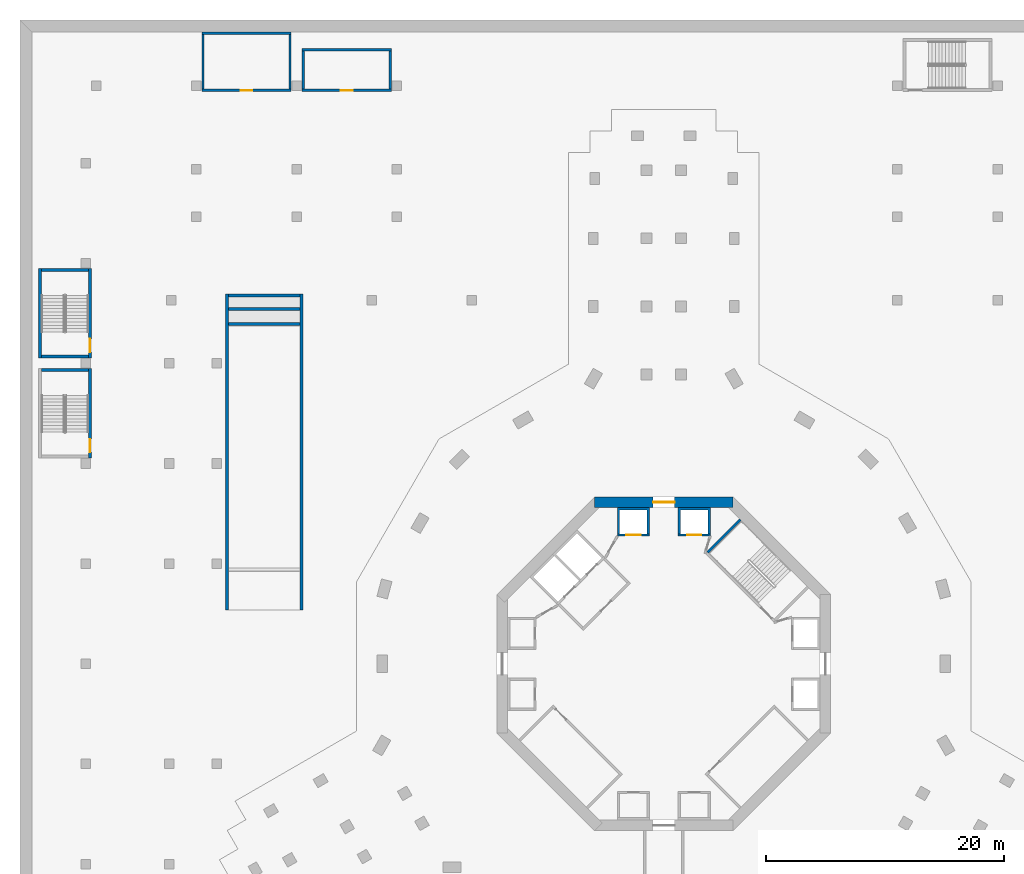
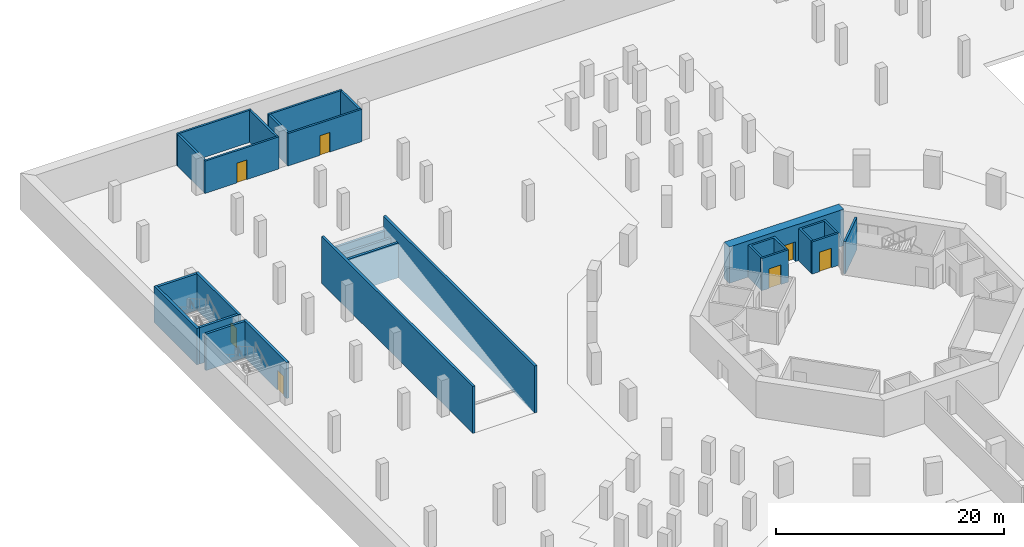
# One storey, part 10 of 25: 25 walls, 7 doors, 7 openings.
"""IFC4 building model written with IfcOpenShell, lengths in metres."""

from ifc_helpers import new_model, si_unit, direction, frame, frame_2d, origin, place, context, subcontext, project, spatial, polyline, rectangle, outline, extrude, material, layer, layer_set, type_object, element, fill, save


model = new_model("IFC4")

# Units and contexts
model_context = context("Model", 3, precision=1e-05, world=origin(), true_north=direction((0.0, 1.0)))
body_context = subcontext(model_context, "Body", "Model", "MODEL_VIEW")
ifc_project = project(units=[si_unit("LENGTHUNIT", "METRE"), si_unit("AREAUNIT", "SQUARE_METRE"), si_unit("VOLUMEUNIT", "CUBIC_METRE"), si_unit("PLANEANGLEUNIT", "RADIAN"), si_unit("MASSUNIT", "GRAM", prefix="KILO")], contexts=[model_context])

# Site, building, storey
site_placement = place(None, origin())
site = spatial("IfcSite", under=ifc_project, at=site_placement, CompositionType="ELEMENT")
building_placement = place(site_placement, origin())
building = spatial("IfcBuilding", under=site, at=building_placement, Name="Verdalira Terraces Hotel", CompositionType="ELEMENT")
storey_placement = place(building_placement, frame((0.0, 0.0, -7.800049)))
storey = spatial("IfcBuildingStorey", under=building, at=storey_placement, Name="B2", CompositionType="ELEMENT", Elevation=-7.800048828125)

# Wall
ifc_material_1 = material(Name="Concrete C50", Category="concrete")
ifc_layer_1 = layer(ifc_material_1, 0.199951171875)
ifc_layer_set_1 = layer_set([ifc_layer_1], Name="Core RC wall 200 C50")
wall_type_1 = type_object("IfcWallType", Name="Core RC wall 200 C50", PredefinedType="SOLIDWALL", material=ifc_layer_set_1)
wall_1_placement = place(storey_placement, origin())
element("IfcWall", 1, at=wall_1_placement, inside=storey, type_object=wall_type_1, Name="B2 shaft wall N1", PredefinedType="SOLIDWALL", context=body_context, shape_type="SweptSolid", body=[
    extrude(outline(polyline([(3.899902, 13.100098), (3.899902, 10.899902), (3.699951, 10.899902), (3.699951, 12.899902), (1.399902, 12.899902), (1.399902, 10.899902), (1.199951, 10.899902), (1.199951, 13.100098), (3.899902, 13.100098)])), origin(), (0.0, 0.0, 1.0), 3.449951),
])

# Wall, opening, door
wall_2_placement = place(storey_placement, frame((1.199951, 10.800049, 0.0), z_axis=(0.0, 0.0, 1.0), x_axis=(1.0, 0.0, 0.0)))
wall_2 = element("IfcWall", 2, at=wall_2_placement, inside=storey, type_object=wall_type_1, Name="B2 shaft front wall N1", PredefinedType="SOLIDWALL", context=body_context, shape_type="SweptSolid", body=[
    extrude(rectangle(XDim=2.699951, YDim=0.199951, at=frame_2d((1.350098, 0.0))), origin(), (0.0, 0.0, 1.0), 3.449951),
])
opening_1_placement = place(wall_2_placement, frame((0.75, 0.0, 0.0)))
opening_1 = element("IfcOpeningElement", 3, at=opening_1_placement, cuts=wall_2, Name="Opening LD-B2-807", PredefinedType="OPENING", context=body_context, shape_type="SweptSolid", body=[
    extrude(rectangle(XDim=1.199951, YDim=2.100098, at=frame_2d((0.600098, 1.050049))), frame((0.0, 0.109863, 0.0), z_axis=(0.0, -1.0, 0.0), x_axis=(1.0, 0.0, 0.0)), (0.0, 0.0, 1.0), 0.219971),
])
ifc_material_2 = material(Name="Stainless steel", Category="steel")
door_type_1 = type_object("IfcDoorType", Name="Landing door 1200 x 2100", OperationType="NOTDEFINED", PredefinedType="DOOR", material=ifc_material_2)
door_1_placement = place(opening_1_placement, origin())
door_1 = element("IfcDoor", 4, at=door_1_placement, inside=storey, type_object=door_type_1, Name="Lift landing door LR3 B2", OperationType="DOUBLE_DOOR_SLIDING", OverallHeight=2.10009765625, OverallWidth=1.199951171875, PredefinedType="DOOR", context=body_context, shape_type="SweptSolid", body=[
    extrude(rectangle(XDim=1.199951, YDim=2.100098, at=frame_2d((0.600098, 1.050049))), frame((0.0, 0.024902, 0.0), z_axis=(0.0, -1.0, 0.0), x_axis=(1.0, 0.0, 0.0)), (0.0, 0.0, 1.0), 0.050049),
])
fill(opening_1, door_1)

# Wall
wall_3_placement = place(storey_placement, origin())
element("IfcWall", 5, at=wall_3_placement, inside=storey, type_object=wall_type_1, Name="B2 shaft wall N2", PredefinedType="SOLIDWALL", context=body_context, shape_type="SweptSolid", body=[
    extrude(outline(polyline([(-3.899902, 10.899902), (-3.899902, 13.100098), (-1.199951, 13.100098), (-1.199951, 10.899902), (-1.399902, 10.899902), (-1.399902, 12.899902), (-3.699951, 12.899902), (-3.699951, 10.899902), (-3.899902, 10.899902)])), origin(), (0.0, 0.0, 1.0), 3.449951),
])

# Wall, opening, door
wall_4_placement = place(storey_placement, frame((-1.199951, 10.800049, 0.0), z_axis=(0.0, 0.0, 1.0), x_axis=(-1.0, 0.0, 0.0)))
wall_4 = element("IfcWall", 6, at=wall_4_placement, inside=storey, type_object=wall_type_1, Name="B2 shaft front wall N2", PredefinedType="SOLIDWALL", context=body_context, shape_type="SweptSolid", body=[
    extrude(rectangle(XDim=2.699951, YDim=0.199951, at=frame_2d((1.350098, 0.0))), origin(), (0.0, 0.0, 1.0), 3.449951),
])
opening_2_placement = place(wall_4_placement, frame((0.75, 0.0, 0.0)))
opening_2 = element("IfcOpeningElement", 7, at=opening_2_placement, cuts=wall_4, Name="Opening LD-B2-808", PredefinedType="OPENING", context=body_context, shape_type="SweptSolid", body=[
    extrude(rectangle(XDim=1.199951, YDim=2.100098, at=frame_2d((0.600098, 1.050049))), frame((0.0, 0.109863, 0.0), z_axis=(0.0, -1.0, 0.0), x_axis=(1.0, 0.0, 0.0)), (0.0, 0.0, 1.0), 0.219971),
])
door_2_placement = place(opening_2_placement, origin())
door_2 = element("IfcDoor", 8, at=door_2_placement, inside=storey, type_object=door_type_1, Name="Lift landing door LR4 B2", OperationType="DOUBLE_DOOR_SLIDING", OverallHeight=2.10009765625, OverallWidth=1.199951171875, PredefinedType="DOOR", context=body_context, shape_type="SweptSolid", body=[
    extrude(rectangle(XDim=1.199951, YDim=2.100098, at=frame_2d((0.600098, 1.050049))), frame((0.0, 0.024902, 0.0), z_axis=(0.0, -1.0, 0.0), x_axis=(1.0, 0.0, 0.0)), (0.0, 0.0, 1.0), 0.050049),
])
fill(opening_2, door_2)

# Wall
wall_5_placement = place(storey_placement, frame((3.677002, 9.33374, 0.0), z_axis=(0.0, 0.0, 1.0), x_axis=(0.707106781, 0.707106781, 0.0)))
element("IfcWall", 9, at=wall_5_placement, inside=storey, type_object=wall_type_1, Name="B2 stair ST1 end wall 2", PredefinedType="SOLIDWALL", context=body_context, shape_type="SweptSolid", body=[
    extrude(rectangle(XDim=3.900146, YDim=0.199951, at=frame_2d((1.950195, 0.0))), origin(), (0.0, 0.0, 1.0), 3.449951),
])

# Wall, opening, door
ifc_material_3 = material(Name="Concrete C70", Category="concrete")
ifc_layer_2 = layer(ifc_material_3, 0.89990234375)
ifc_layer_set_2 = layer_set([ifc_layer_2], Name="Core wall 900 C70")
wall_type_2 = type_object("IfcWallType", Name="Core wall 900 C70", PredefinedType="SHEAR", material=ifc_layer_set_2)
wall_6_placement = place(storey_placement, frame((5.799072, 13.550049, 0.0), z_axis=(0.0, 0.0, 1.0), x_axis=(-1.0, 0.0, 0.0)))
wall_6 = element("IfcWall", 10, at=wall_6_placement, inside=storey, type_object=wall_type_2, Name="Core wall CW-B2-3", PredefinedType="SHEAR", context=body_context, shape_type="SweptSolid", body=[
    extrude(rectangle(XDim=11.598145, YDim=0.899902, at=frame_2d((5.799072, 0.0))), origin(), (0.0, 0.0, 1.0), 3.900146),
])
opening_3_placement = place(wall_6_placement, frame((4.898926, 0.0, 0.0)))
opening_3 = element("IfcOpeningElement", 11, at=opening_3_placement, cuts=wall_6, Name="Opening B2-815", PredefinedType="OPENING", context=body_context, shape_type="SweptSolid", body=[
    extrude(rectangle(XDim=1.800049, YDim=2.100098, at=frame_2d((0.899902, 1.050049))), frame((0.0, 0.459961, 0.0), z_axis=(0.0, -1.0, 0.0), x_axis=(1.0, 0.0, 0.0)), (0.0, 0.0, 1.0), 0.919922),
])
ifc_material_4 = material(Name="Steel fire door", Category="steel")
door_type_2 = type_object("IfcDoorType", Name="Core entry door pair 1800 x 2100", OperationType="NOTDEFINED", PredefinedType="DOOR", material=ifc_material_4)
door_3_placement = place(opening_3_placement, origin())
door_3 = element("IfcDoor", 12, at=door_3_placement, inside=storey, type_object=door_type_2, Name="Core entry door B2 2", OperationType="DOUBLE_DOOR_SINGLE_SWING", OverallHeight=2.10009765625, OverallWidth=1.800048828125, PredefinedType="DOOR", context=body_context, shape_type="SweptSolid", body=[
    extrude(rectangle(XDim=1.800049, YDim=2.100098, at=frame_2d((0.899902, 1.050049))), frame((0.0, 0.024902, 0.0), z_axis=(0.0, -1.0, 0.0), x_axis=(1.0, 0.0, 0.0)), (0.0, 0.0, 1.0), 0.050049),
])
fill(opening_3, door_3)

# Walls
ifc_material_5 = material(Name="Concrete C40", Category="concrete")
ifc_layer_3 = layer(ifc_material_5, 0.25)
ifc_layer_set_3 = layer_set([ifc_layer_3], Name="Ramp end wall 250 C40")
wall_type_3 = type_object("IfcWallType", Name="Ramp end wall 250 C40", PredefinedType="SOLIDWALL", material=ifc_layer_set_3)
wall_7_placement = place(storey_placement, frame((-30.5, 30.875, 0.0), z_axis=(0.0, 0.0, 1.0), x_axis=(-1.0, 0.0, 0.0)))
element("IfcWall", 13, at=wall_7_placement, inside=storey, type_object=wall_type_3, Name="Ramp from B1 to B2 end wall", PredefinedType="SOLIDWALL", context=body_context, shape_type="SweptSolid", body=[
    extrude(rectangle(XDim=6.0, YDim=0.25, at=frame_2d((3.0, 0.0))), origin(), (0.0, 0.0, 1.0), 3.550049),
])
ifc_material_6 = material(Name="Concrete C40", Category="concrete")
ifc_layer_4 = layer(ifc_material_6, 0.25)
ifc_layer_set_4 = layer_set([ifc_layer_4], Name="Ramp guard wall 250 C40")
wall_type_4 = type_object("IfcWallType", Name="Ramp guard wall 250 C40", PredefinedType="SOLIDWALL", material=ifc_layer_set_4)
for number, where, z_axis, x_axis, name in (
    (14, (-30.375, 31.0, 0.0), (0.0, 0.0, 1.0), (0.0, -1.0, 0.0), "Ramp from B1 to B2 side wall W"),
    (15, (-36.625, 31.0, 0.0), (0.0, 0.0, 1.0), (0.0, -1.0, 0.0), "Ramp from B1 to B2 side wall E"),
):
    element("IfcWall", number, at=place(storey_placement, frame(where, z_axis=z_axis, x_axis=x_axis)), inside=storey, type_object=wall_type_4, Name=name, PredefinedType="SOLIDWALL", context=body_context, shape_type="SweptSolid", body=[
        extrude(rectangle(XDim=26.5, YDim=0.25, at=frame_2d((13.25, 0.0))), origin(), (0.0, 0.0, 1.0), 5.02002),
    ])
ifc_material_7 = material(Name="Concrete C40", Category="concrete")
ifc_layer_5 = layer(ifc_material_7, 0.25)
ifc_layer_set_5 = layer_set([ifc_layer_5], Name="Ramp head support wall 250 C40")
wall_type_5 = type_object("IfcWallType", Name="Ramp head support wall 250 C40", PredefinedType="SOLIDWALL", material=ifc_layer_set_5)
wall_8_placement = place(storey_placement, frame((-30.5, 29.75, 0.0), z_axis=(0.0, 0.0, 1.0), x_axis=(-1.0, 0.0, 0.0)))
element("IfcWall", 16, at=wall_8_placement, inside=storey, type_object=wall_type_5, Name="Ramp from B1 to B2 head support wall", PredefinedType="SOLIDWALL", context=body_context, shape_type="SweptSolid", body=[
    extrude(rectangle(XDim=6.0, YDim=0.25, at=frame_2d((3.0, 0.0))), origin(), (0.0, 0.0, 1.0), 3.471436),
])
ifc_material_8 = material(Name="Concrete C40", Category="concrete")
ifc_layer_6 = layer(ifc_material_8, 0.25)
ifc_layer_set_6 = layer_set([ifc_layer_6], Name="Ramp joint wall 250 C40")
wall_type_6 = type_object("IfcWallType", Name="Ramp joint wall 250 C40", PredefinedType="SOLIDWALL", material=ifc_layer_set_6)
wall_9_placement = place(storey_placement, frame((-30.5, 28.5, 0.0), z_axis=(0.0, 0.0, 1.0), x_axis=(-1.0, 0.0, 0.0)))
element("IfcWall", 17, at=wall_9_placement, inside=storey, type_object=wall_type_6, Name="Ramp from B1 to B2 joint wall", PredefinedType="SOLIDWALL", context=body_context, shape_type="SweptSolid", body=[
    extrude(rectangle(XDim=6.0, YDim=0.25, at=frame_2d((3.0, 0.0))), origin(), (0.0, 0.0, 1.0), 3.733887),
])

# Wall, opening, door
ifc_material_9 = material(Name="Concrete C40", Category="concrete")
ifc_layer_7 = layer(ifc_material_9, 0.199951171875)
ifc_layer_set_7 = layer_set([ifc_layer_7], Name="Service room wall 200 C40")
wall_type_7 = type_object("IfcWallType", Name="Service room wall 200 C40", PredefinedType="PARTITIONING", material=ifc_layer_set_7)
wall_10_placement = place(storey_placement, frame((-30.350098, 48.100098, 0.0), z_axis=(0.0, 0.0, 1.0), x_axis=(1.0, 0.0, 0.0)))
wall_10 = element("IfcWall", 18, at=wall_10_placement, inside=storey, type_object=wall_type_7, Name="Store wall", PredefinedType="PARTITIONING", context=body_context, shape_type="SweptSolid", body=[
    extrude(rectangle(XDim=7.5, YDim=0.199951, at=frame_2d((3.75, 0.0))), origin(), (0.0, 0.0, 1.0), 3.449951),
])
opening_4_placement = place(wall_10_placement, frame((3.25, 0.0, 0.0)))
opening_4 = element("IfcOpeningElement", 19, at=opening_4_placement, cuts=wall_10, Name="Opening B2-D610", PredefinedType="OPENING", context=body_context, shape_type="SweptSolid", body=[
    extrude(rectangle(XDim=1.0, YDim=2.100098, at=frame_2d((0.5, 1.050049))), frame((0.0, 0.109863, 0.0), z_axis=(0.0, -1.0, 0.0), x_axis=(1.0, 0.0, 0.0)), (0.0, 0.0, 1.0), 0.219971),
])
ifc_material_10 = material(Name="Steel fire door", Category="steel")
door_type_3 = type_object("IfcDoorType", Name="Service room door 1000 x 2100", OperationType="SINGLE_SWING_LEFT", PredefinedType="DOOR", material=ifc_material_10)
door_4_placement = place(opening_4_placement, origin())
door_4 = element("IfcDoor", 20, at=door_4_placement, inside=storey, type_object=door_type_3, Name="Store door", OperationType="SINGLE_SWING_RIGHT", OverallHeight=2.10009765625, OverallWidth=1.0, PredefinedType="DOOR", context=body_context, shape_type="SweptSolid", body=[
    extrude(rectangle(XDim=1.0, YDim=2.100098, at=frame_2d((0.5, 1.050049))), frame((0.0, 0.024902, 0.0), z_axis=(0.0, -1.0, 0.0), x_axis=(1.0, 0.0, 0.0)), (0.0, 0.0, 1.0), 0.050049),
])
fill(opening_4, door_4)

# Walls
wall_11_placement = place(storey_placement, frame((-30.350098, 51.5, 0.0), z_axis=(0.0, 0.0, 1.0), x_axis=(1.0, 0.0, 0.0)))
element("IfcWall", 21, at=wall_11_placement, inside=storey, type_object=wall_type_7, Name="Store wall", PredefinedType="PARTITIONING", context=body_context, shape_type="SweptSolid", body=[
    extrude(rectangle(XDim=7.5, YDim=0.199951, at=frame_2d((3.75, 0.0))), origin(), (0.0, 0.0, 1.0), 3.449951),
])
for number, where, z_axis, x_axis, name in (
    (22, (-30.25, 48.199951, 0.0), (0.0, 0.0, 1.0), (0.0, 1.0, 0.0), "Store wall"),
    (23, (-22.949951, 48.199951, 0.0), (0.0, 0.0, 1.0), (0.0, 1.0, 0.0), "Store wall"),
):
    element("IfcWall", number, at=place(storey_placement, frame(where, z_axis=z_axis, x_axis=x_axis)), inside=storey, type_object=wall_type_7, Name=name, PredefinedType="PARTITIONING", context=body_context, shape_type="SweptSolid", body=[
        extrude(rectangle(XDim=3.199951, YDim=0.199951, at=frame_2d((1.600098, 0.0))), origin(), (0.0, 0.0, 1.0), 3.449951),
    ])

# Wall, opening, door
wall_12_placement = place(storey_placement, frame((-38.75, 48.100098, 0.0), z_axis=(0.0, 0.0, 1.0), x_axis=(1.0, 0.0, 0.0)))
wall_12 = element("IfcWall", 24, at=wall_12_placement, inside=storey, type_object=wall_type_7, Name="Plant room wall", PredefinedType="PARTITIONING", context=body_context, shape_type="SweptSolid", body=[
    extrude(rectangle(XDim=7.5, YDim=0.199951, at=frame_2d((3.75, 0.0))), origin(), (0.0, 0.0, 1.0), 3.449951),
])
opening_5_placement = place(wall_12_placement, frame((3.25, 0.0, 0.0)))
opening_5 = element("IfcOpeningElement", 25, at=opening_5_placement, cuts=wall_12, Name="Opening B2-D611", PredefinedType="OPENING", context=body_context, shape_type="SweptSolid", body=[
    extrude(rectangle(XDim=1.0, YDim=2.100098, at=frame_2d((0.5, 1.050049))), frame((0.0, 0.109863, 0.0), z_axis=(0.0, -1.0, 0.0), x_axis=(1.0, 0.0, 0.0)), (0.0, 0.0, 1.0), 0.219971),
])
door_5_placement = place(opening_5_placement, origin())
door_5 = element("IfcDoor", 26, at=door_5_placement, inside=storey, type_object=door_type_3, Name="Plant room door", OperationType="SINGLE_SWING_LEFT", OverallHeight=2.10009765625, OverallWidth=1.0, PredefinedType="DOOR", context=body_context, shape_type="SweptSolid", body=[
    extrude(rectangle(XDim=1.0, YDim=2.100098, at=frame_2d((0.5, 1.050049))), frame((0.0, 0.024902, 0.0), z_axis=(0.0, -1.0, 0.0), x_axis=(1.0, 0.0, 0.0)), (0.0, 0.0, 1.0), 0.050049),
])
fill(opening_5, door_5)

# Walls
wall_13_placement = place(storey_placement, frame((-38.75, 52.899902, 0.0), z_axis=(0.0, 0.0, 1.0), x_axis=(1.0, 0.0, 0.0)))
element("IfcWall", 27, at=wall_13_placement, inside=storey, type_object=wall_type_7, Name="Plant room wall", PredefinedType="PARTITIONING", context=body_context, shape_type="SweptSolid", body=[
    extrude(rectangle(XDim=7.5, YDim=0.199951, at=frame_2d((3.75, 0.0))), origin(), (0.0, 0.0, 1.0), 3.449951),
])
for number, where, z_axis, x_axis, name in (
    (28, (-38.649902, 48.199951, 0.0), (0.0, 0.0, 1.0), (0.0, 1.0, 0.0), "Plant room wall"),
    (29, (-31.350098, 48.199951, 0.0), (0.0, 0.0, 1.0), (0.0, 1.0, 0.0), "Plant room wall"),
):
    element("IfcWall", number, at=place(storey_placement, frame(where, z_axis=z_axis, x_axis=x_axis)), inside=storey, type_object=wall_type_7, Name=name, PredefinedType="PARTITIONING", context=body_context, shape_type="SweptSolid", body=[
        extrude(rectangle(XDim=4.600098, YDim=0.199951, at=frame_2d((2.300049, 0.0))), origin(), (0.0, 0.0, 1.0), 3.449951),
    ])
ifc_material_11 = material(Name="Concrete C40", Category="concrete")
ifc_layer_8 = layer(ifc_material_11, 0.25)
ifc_layer_set_8 = layer_set([ifc_layer_8], Name="Stair enclosure wall 250 C40")
wall_type_8 = type_object("IfcWallType", Name="Stair enclosure wall 250 C40", PredefinedType="SOLIDWALL", material=ifc_layer_set_8)
wall_14_placement = place(storey_placement, frame((-52.324951, 25.649902, 0.0), z_axis=(0.0, 0.0, 1.0), x_axis=(0.0, 1.0, 0.0)))
element("IfcWall", 30, at=wall_14_placement, inside=storey, type_object=wall_type_8, Name="Stair BS4 enclosure wall", PredefinedType="SOLIDWALL", context=body_context, shape_type="SweptSolid", body=[
    extrude(rectangle(XDim=7.5, YDim=0.25, at=frame_2d((3.75, 0.0))), origin(), (0.0, 0.0, 1.0), 3.900146),
])

# Wall, opening, door
wall_15_placement = place(storey_placement, frame((-48.125, 25.649902, 0.0), z_axis=(0.0, 0.0, 1.0), x_axis=(0.0, 1.0, 0.0)))
wall_15 = element("IfcWall", 31, at=wall_15_placement, inside=storey, type_object=wall_type_8, Name="Stair BS4 enclosure wall", PredefinedType="SOLIDWALL", context=body_context, shape_type="SweptSolid", body=[
    extrude(rectangle(XDim=7.5, YDim=0.25, at=frame_2d((3.75, 0.0))), origin(), (0.0, 0.0, 1.0), 3.900146),
])
opening_6_placement = place(wall_15_placement, frame((0.5, 0.0, 0.0)))
opening_6 = element("IfcOpeningElement", 32, at=opening_6_placement, cuts=wall_15, Name="Opening B2-D604", PredefinedType="OPENING", context=body_context, shape_type="SweptSolid", body=[
    extrude(rectangle(XDim=1.100098, YDim=2.100098, at=frame_2d((0.550049, 1.050049))), frame((0.0, 0.13501, 0.0), z_axis=(0.0, -1.0, 0.0), x_axis=(1.0, 0.0, 0.0)), (0.0, 0.0, 1.0), 0.27002),
])
ifc_material_12 = material(Name="Steel fire door", Category="steel")
door_type_4 = type_object("IfcDoorType", Name="Stair door 1100 x 2100", OperationType="SINGLE_SWING_LEFT", PredefinedType="DOOR", material=ifc_material_12)
door_6_placement = place(opening_6_placement, origin())
door_6 = element("IfcDoor", 33, at=door_6_placement, inside=storey, type_object=door_type_4, Name="Stair BS4 door", OperationType="SINGLE_SWING_LEFT", OverallHeight=2.10009765625, OverallWidth=1.10009765625, PredefinedType="DOOR", context=body_context, shape_type="SweptSolid", body=[
    extrude(rectangle(XDim=1.100098, YDim=2.100098, at=frame_2d((0.550049, 1.050049))), frame((0.0, 0.024902, 0.0), z_axis=(0.0, -1.0, 0.0), x_axis=(1.0, 0.0, 0.0)), (0.0, 0.0, 1.0), 0.050049),
])
fill(opening_6, door_6)

# Walls
for number, where, z_axis, x_axis, name in (
    (34, (-48.25, 25.774902, 0.0), (0.0, 0.0, 1.0), (-1.0, 0.0, 0.0), "Stair BS4 enclosure wall"),
    (35, (-48.25, 33.024902, 0.0), (0.0, 0.0, 1.0), (-1.0, 0.0, 0.0), "Stair BS4 enclosure wall"),
):
    element("IfcWall", number, at=place(storey_placement, frame(where, z_axis=z_axis, x_axis=x_axis)), inside=storey, type_object=wall_type_8, Name=name, PredefinedType="SOLIDWALL", context=body_context, shape_type="SweptSolid", body=[
        extrude(rectangle(XDim=3.949951, YDim=0.25, at=frame_2d((1.975098, 0.0))), origin(), (0.0, 0.0, 1.0), 3.900146),
    ])

# Wall, opening, door
wall_16_placement = place(storey_placement, frame((-48.125, 17.25, 0.0), z_axis=(0.0, 0.0, 1.0), x_axis=(0.0, 1.0, 0.0)))
wall_16 = element("IfcWall", 36, at=wall_16_placement, inside=storey, type_object=wall_type_8, Name="Stair BS7 enclosure wall", PredefinedType="SOLIDWALL", context=body_context, shape_type="SweptSolid", body=[
    extrude(rectangle(XDim=7.5, YDim=0.25, at=frame_2d((3.75, 0.0))), origin(), (0.0, 0.0, 1.0), 3.900146),
])
opening_7_placement = place(wall_16_placement, frame((0.5, 0.0, 0.0)))
opening_7 = element("IfcOpeningElement", 37, at=opening_7_placement, cuts=wall_16, Name="Opening B2-D607", PredefinedType="OPENING", context=body_context, shape_type="SweptSolid", body=[
    extrude(rectangle(XDim=1.100098, YDim=2.100098, at=frame_2d((0.550049, 1.050049))), frame((0.0, 0.13501, 0.0), z_axis=(0.0, -1.0, 0.0), x_axis=(1.0, 0.0, 0.0)), (0.0, 0.0, 1.0), 0.27002),
])
door_7_placement = place(opening_7_placement, origin())
door_7 = element("IfcDoor", 38, at=door_7_placement, inside=storey, type_object=door_type_4, Name="Stair BS7 door", OperationType="SINGLE_SWING_LEFT", OverallHeight=2.10009765625, OverallWidth=1.10009765625, PredefinedType="DOOR", context=body_context, shape_type="SweptSolid", body=[
    extrude(rectangle(XDim=1.100098, YDim=2.100098, at=frame_2d((0.550049, 1.050049))), frame((0.0, 0.024902, 0.0), z_axis=(0.0, -1.0, 0.0), x_axis=(1.0, 0.0, 0.0)), (0.0, 0.0, 1.0), 0.050049),
])
fill(opening_7, door_7)

# Wall
wall_17_placement = place(storey_placement, frame((-48.25, 24.625, 0.0), z_axis=(0.0, 0.0, 1.0), x_axis=(-1.0, 0.0, 0.0)))
element("IfcWall", 39, at=wall_17_placement, inside=storey, type_object=wall_type_8, Name="Stair BS7 enclosure wall", PredefinedType="SOLIDWALL", context=body_context, shape_type="SweptSolid", body=[
    extrude(rectangle(XDim=3.949951, YDim=0.25, at=frame_2d((1.975098, 0.0))), origin(), (0.0, 0.0, 1.0), 3.900146),
])

save(model, "model.ifc")
